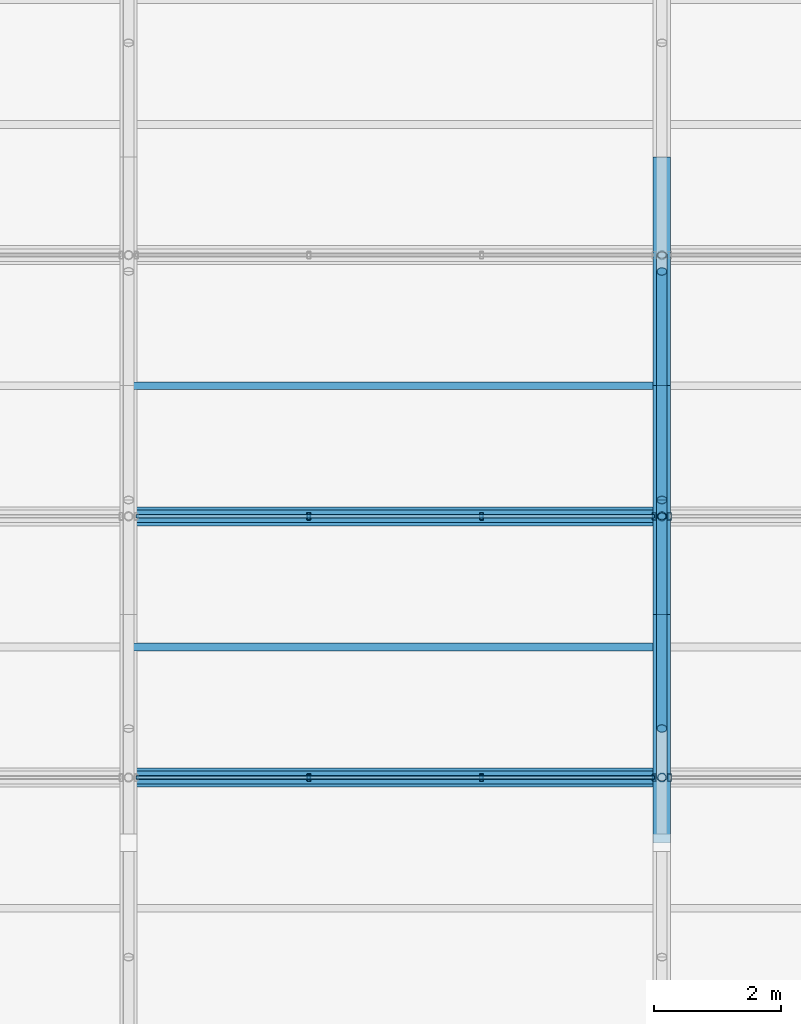
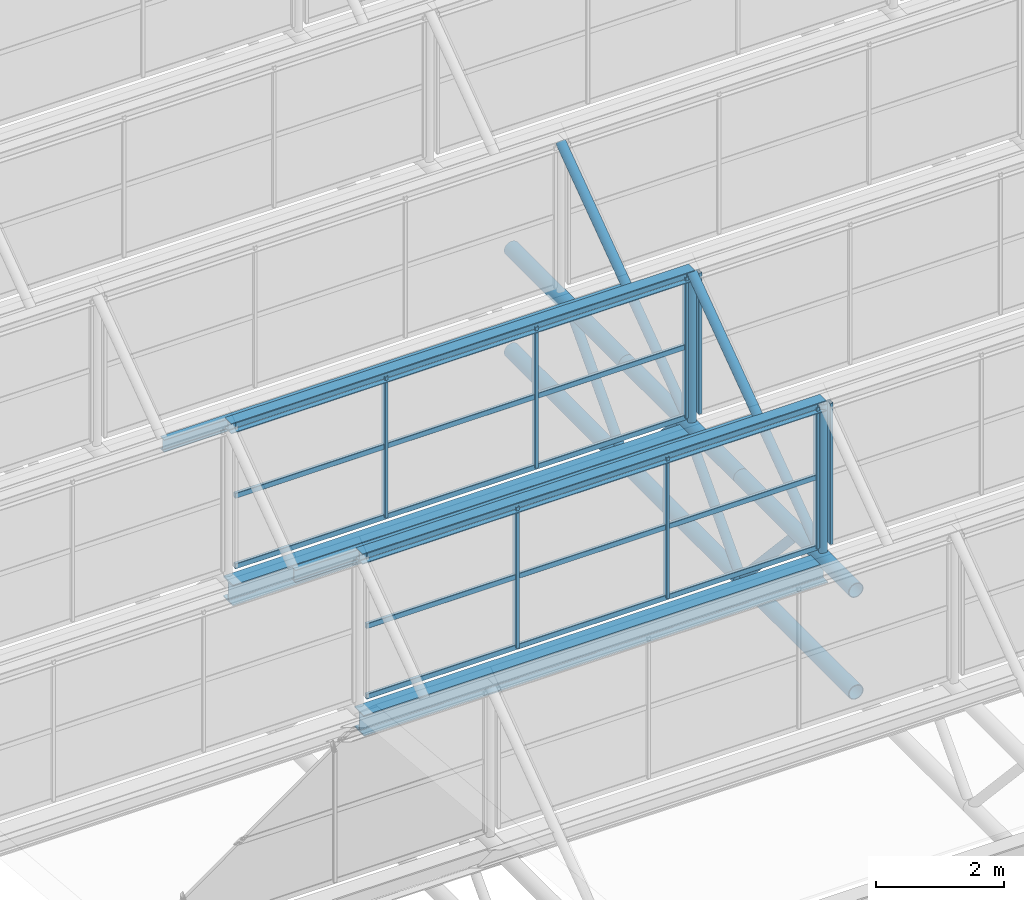
# One storey, part 63 of 134: 28 members, 6 beams, 4 elements without a shape of their own.
"""IFC4 building model written with IfcOpenShell, lengths in metres."""

from ifc_helpers import new_model, si_unit, derived_unit, direction, frame, origin, origin_2d, place, context, subcontext, project, spatial, hollow_rectangle, hollow_circle, i_section, extrude, material, material_profile, profile_set, type_object, element, aggregate, save


model = new_model("IFC4")

# Units and contexts
model_context = context("Model", 3, precision=1e-05, world=origin(), true_north=direction((0.0, 1.0)))
body_context = subcontext(model_context, "Body", "Model", "MODEL_VIEW")
ifc_project = project(units=[si_unit("LENGTHUNIT", "METRE"), si_unit("AREAUNIT", "SQUARE_METRE"), si_unit("VOLUMEUNIT", "CUBIC_METRE"), si_unit("PLANEANGLEUNIT", "RADIAN"), si_unit("MASSUNIT", "GRAM", prefix="KILO"), derived_unit("THERMALTRANSMITTANCEUNIT", [(si_unit("MASSUNIT", "GRAM", prefix="KILO"), 1), (si_unit("TIMEUNIT", "SECOND"), -3), (si_unit("THERMODYNAMICTEMPERATUREUNIT", "KELVIN"), -1)])], contexts=[model_context])

# Site, building, storey
site_placement = place(None, origin())
site = spatial("IfcSite", under=ifc_project, at=site_placement, CompositionType="ELEMENT")
building_placement = place(site_placement, origin())
building = spatial("IfcBuilding", under=site, at=building_placement, Name="Kharveza Railside Sports Centre", CompositionType="ELEMENT")
storey_placement = place(building_placement, frame((0.0, 0.0, 12.89990234375)))
storey = spatial("IfcBuildingStorey", under=building, at=storey_placement, Name="L03", CompositionType="ELEMENT", Elevation=12.89990234375)

# Beams
ifc_material_1 = material(Name="Steel S355J2", Category="steel")
ifc_material_profile_1 = material_profile(ifc_material_1, i_section(OverallWidth=0.300048828125, OverallDepth=0.39990234375, WebThickness=0.013427734375, FlangeThickness=0.02392578125, FilletRadius=0.027099609375, at=origin_2d()), Name="HEB 400")
ifc_profile_set_1 = profile_set([ifc_material_profile_1], Name="Steel S355J2")
beam_type_1 = type_object("IfcBeamType", Name="BM-G07", PredefinedType="T_BEAM", material=ifc_profile_set_1)
for number, where, z_axis, x_axis, name in (
    (1, (117.60009765625, 87.4287109375, 1.760009765625), (1.0, 0.0, 0.0), (0.0, 1.0, 0.0), "BM-V2SAW-VAL-3-4"),
    (2, (117.60009765625, 91.54296875, 1.760009765625), (1.0, 0.0, 0.0), (0.0, 1.0, 0.0), "BM-V2SAW-VAL-4-4"),
):
    element("IfcBeam", number, at=place(storey_placement, frame(where, z_axis=z_axis, x_axis=x_axis)), inside=storey, type_object=beam_type_1, Name=name, PredefinedType="T_BEAM", context=body_context, shape_type="SweptSolid", body=[
        extrude(i_section(OverallWidth=0.300048828125, OverallDepth=0.39990234375, WebThickness=0.013427734375, FlangeThickness=0.02392578125, FilletRadius=0.027099609375, at=origin_2d()), origin(), (0.0, 0.0, 1.0), 8.39990234375),
    ])
ifc_material_2 = material(Name="Steel S275JR", Category="steel")
ifc_material_profile_2 = material_profile(ifc_material_2, i_section(OverallWidth=0.1201171875, OverallDepth=0.239990234375, WebThickness=0.006103515625, FlangeThickness=0.009765625, FilletRadius=0.014892578125, at=origin_2d()), Name="IPE 240")
ifc_profile_set_2 = profile_set([ifc_material_profile_2], Name="Steel S275JR")
beam_type_2 = type_object("IfcBeamType", Name="BM-J01", PredefinedType="JOIST", material=ifc_profile_set_2)
for number, where, z_axis, x_axis, name in (
    (3, (117.60009765625, 89.485595703125, 3.320068359375), (1.0, 0.0, 0.0), (0.0, 1.0, 0.0), "BM-V2SAW-PUR-3-4"),
    (4, (117.60009765625, 93.60009765625, 3.320068359375), (1.0, 0.0, 0.0), (0.0, 1.0, 0.0), "BM-V2SAW-PUR-4-4"),
):
    element("IfcBeam", number, at=place(storey_placement, frame(where, z_axis=z_axis, x_axis=x_axis)), inside=storey, type_object=beam_type_2, Name=name, PredefinedType="JOIST", context=body_context, shape_type="SweptSolid", body=[
        extrude(i_section(OverallWidth=0.1201171875, OverallDepth=0.239990234375, WebThickness=0.006103515625, FlangeThickness=0.009765625, FilletRadius=0.014892578125, at=origin_2d()), origin(), (0.0, 0.0, 1.0), 8.39990234375),
    ])
ifc_material_profile_3 = material_profile(ifc_material_2, i_section(OverallWidth=0.199951171875, OverallDepth=0.199951171875, WebThickness=0.009033203125, FlangeThickness=0.014892578125, FilletRadius=0.01806640625, at=origin_2d()), Name="HEB 200")
ifc_profile_set_3 = profile_set([ifc_material_profile_3], Name="Steel S275JR")
beam_type_3 = type_object("IfcBeamType", Name="BM-J05", PredefinedType="JOIST", material=ifc_profile_set_3)
for number, where, z_axis, x_axis, name in (
    (5, (117.60009765625, 87.4287109375, 4.920166015625), (1.0, 0.0, 0.0), (0.0, 1.0, 0.0), "BM-V2SAW-RDG-2-4"),
    (6, (117.60009765625, 91.54296875, 4.920166015625), (1.0, 0.0, 0.0), (0.0, 1.0, 0.0), "BM-V2SAW-RDG-3-4"),
):
    element("IfcBeam", number, at=place(storey_placement, frame(where, z_axis=z_axis, x_axis=x_axis)), inside=storey, type_object=beam_type_3, Name=name, PredefinedType="JOIST", context=body_context, shape_type="SweptSolid", body=[
        extrude(i_section(OverallWidth=0.199951171875, OverallDepth=0.199951171875, WebThickness=0.009033203125, FlangeThickness=0.014892578125, FilletRadius=0.01806640625, at=origin_2d()), origin(), (0.0, 0.0, 1.0), 8.39990234375),
    ])

# Curtain wall, members
ifc_material_3 = material(Name="Low-E solar-control laminated glass", Category="glass")
curtain_wall_type = type_object("IfcCurtainWallType", Name="CW-NL02", PredefinedType="NOTDEFINED", material=ifc_material_3)
curtain_wall_1_placement = place(storey_placement, origin())
curtain_wall_1 = element("IfcCurtainWall", 7, at=curtain_wall_1_placement, inside=storey, type_object=curtain_wall_type, Name="CW-V2NL-2-4", PredefinedType="NOTDEFINED")
ifc_material_4 = material(Name="Anodised aluminium 6063-T6", Category="aluminium")
ifc_material_profile_4 = material_profile(ifc_material_4, hollow_rectangle(XDim=0.06005859375, YDim=0.1201171875, WallThickness=0.0048828125, InnerFilletRadius=0.0048828125, OuterFilletRadius=0.010009765625, at=origin_2d()), Name="RHS 60x120x5.0")
ifc_profile_set_4 = profile_set([ifc_material_profile_4], Name="Anodised aluminium 6063-T6")
member_type_1 = type_object("IfcMemberType", Name="CW-ML05", PredefinedType="MULLION", material=ifc_profile_set_4)
member_1_placement = place(storey_placement, frame((120.43994140625, 87.4287109375, 2.2001953125), z_axis=(0.0, 0.0, 1.0), x_axis=(1.0, 0.0, 0.0)))
member_1 = element("IfcMember", 8, at=member_1_placement, type_object=member_type_1, Name="CW-V2NL-2-4-ML2", PredefinedType="MULLION", context=body_context, shape_type="SweptSolid", body=[
    extrude(hollow_rectangle(XDim=0.06005859375, YDim=0.1201171875, WallThickness=0.0048828125, InnerFilletRadius=0.0048828125, OuterFilletRadius=0.010009765625, at=origin_2d()), origin(), (0.0, 0.0, 1.0), 2.699951171875),
])
member_2_placement = place(storey_placement, frame((123.159912109375, 87.4287109375, 2.2001953125), z_axis=(0.0, 0.0, 1.0), x_axis=(1.0, 0.0, 0.0)))
member_2 = element("IfcMember", 9, at=member_2_placement, type_object=member_type_1, Name="CW-V2NL-2-4-ML3", PredefinedType="MULLION", context=body_context, shape_type="SweptSolid", body=[
    extrude(hollow_rectangle(XDim=0.06005859375, YDim=0.1201171875, WallThickness=0.0048828125, InnerFilletRadius=0.0048828125, OuterFilletRadius=0.010009765625, at=origin_2d()), origin(), (0.0, 0.0, 1.0), 2.699951171875),
])
member_3_placement = place(storey_placement, frame((125.8798828125, 87.4287109375, 2.2001953125), z_axis=(0.0, 0.0, 1.0), x_axis=(1.0, 0.0, 0.0)))
member_3 = element("IfcMember", 10, at=member_3_placement, type_object=member_type_1, Name="CW-V2NL-2-4-ML4", PredefinedType="MULLION", context=body_context, shape_type="SweptSolid", body=[
    extrude(hollow_rectangle(XDim=0.06005859375, YDim=0.1201171875, WallThickness=0.0048828125, InnerFilletRadius=0.0048828125, OuterFilletRadius=0.010009765625, at=origin_2d()), origin(), (0.0, 0.0, 1.0), 2.699951171875),
])

# Curtain wall, member
curtain_wall_2_placement = place(storey_placement, origin())
curtain_wall_2 = element("IfcCurtainWall", 11, at=curtain_wall_2_placement, inside=storey, type_object=curtain_wall_type, Name="CW-V2NL-2-5", PredefinedType="NOTDEFINED")
member_4_placement = place(storey_placement, frame((126.1201171875, 87.4287109375, 2.2001953125), z_axis=(0.0, 0.0, 1.0), x_axis=(1.0, 0.0, 0.0)))
member_4 = element("IfcMember", 12, at=member_4_placement, type_object=member_type_1, Name="CW-V2NL-2-5-ML1", PredefinedType="MULLION", context=body_context, shape_type="SweptSolid", body=[
    extrude(hollow_rectangle(XDim=0.06005859375, YDim=0.1201171875, WallThickness=0.0048828125, InnerFilletRadius=0.0048828125, OuterFilletRadius=0.010009765625, at=origin_2d()), origin(), (0.0, 0.0, 1.0), 2.699951171875),
])
aggregate(curtain_wall_2, [member_4])

# Curtain wall, members
curtain_wall_3_placement = place(storey_placement, origin())
curtain_wall_3 = element("IfcCurtainWall", 13, at=curtain_wall_3_placement, inside=storey, type_object=curtain_wall_type, Name="CW-V2NL-3-4", PredefinedType="NOTDEFINED")
member_5_placement = place(storey_placement, frame((120.43994140625, 91.54296875, 2.2001953125), z_axis=(0.0, 0.0, 1.0), x_axis=(1.0, 0.0, 0.0)))
member_5 = element("IfcMember", 14, at=member_5_placement, type_object=member_type_1, Name="CW-V2NL-3-4-ML2", PredefinedType="MULLION", context=body_context, shape_type="SweptSolid", body=[
    extrude(hollow_rectangle(XDim=0.06005859375, YDim=0.1201171875, WallThickness=0.0048828125, InnerFilletRadius=0.0048828125, OuterFilletRadius=0.010009765625, at=origin_2d()), origin(), (0.0, 0.0, 1.0), 2.699951171875),
])
member_6_placement = place(storey_placement, frame((123.159912109375, 91.54296875, 2.2001953125), z_axis=(0.0, 0.0, 1.0), x_axis=(1.0, 0.0, 0.0)))
member_6 = element("IfcMember", 15, at=member_6_placement, type_object=member_type_1, Name="CW-V2NL-3-4-ML3", PredefinedType="MULLION", context=body_context, shape_type="SweptSolid", body=[
    extrude(hollow_rectangle(XDim=0.06005859375, YDim=0.1201171875, WallThickness=0.0048828125, InnerFilletRadius=0.0048828125, OuterFilletRadius=0.010009765625, at=origin_2d()), origin(), (0.0, 0.0, 1.0), 2.699951171875),
])
member_7_placement = place(storey_placement, frame((125.8798828125, 91.54296875, 2.2001953125), z_axis=(0.0, 0.0, 1.0), x_axis=(1.0, 0.0, 0.0)))
member_7 = element("IfcMember", 16, at=member_7_placement, type_object=member_type_1, Name="CW-V2NL-3-4-ML4", PredefinedType="MULLION", context=body_context, shape_type="SweptSolid", body=[
    extrude(hollow_rectangle(XDim=0.06005859375, YDim=0.1201171875, WallThickness=0.0048828125, InnerFilletRadius=0.0048828125, OuterFilletRadius=0.010009765625, at=origin_2d()), origin(), (0.0, 0.0, 1.0), 2.699951171875),
])

# Curtain wall, member
curtain_wall_4_placement = place(storey_placement, origin())
curtain_wall_4 = element("IfcCurtainWall", 17, at=curtain_wall_4_placement, inside=storey, type_object=curtain_wall_type, Name="CW-V2NL-3-5", PredefinedType="NOTDEFINED")
member_8_placement = place(storey_placement, frame((126.1201171875, 91.54296875, 2.2001953125), z_axis=(0.0, 0.0, 1.0), x_axis=(1.0, 0.0, 0.0)))
member_8 = element("IfcMember", 18, at=member_8_placement, type_object=member_type_1, Name="CW-V2NL-3-5-ML1", PredefinedType="MULLION", context=body_context, shape_type="SweptSolid", body=[
    extrude(hollow_rectangle(XDim=0.06005859375, YDim=0.1201171875, WallThickness=0.0048828125, InnerFilletRadius=0.0048828125, OuterFilletRadius=0.010009765625, at=origin_2d()), origin(), (0.0, 0.0, 1.0), 2.699951171875),
])
aggregate(curtain_wall_4, [member_8])

# Member
ifc_material_profile_5 = material_profile(ifc_material_4, hollow_rectangle(XDim=0.06005859375, YDim=0.10009765625, WallThickness=0.00390625, InnerFilletRadius=0.00390625, OuterFilletRadius=0.008056640625, at=origin_2d()), Name="RHS 60x100x4.0")
ifc_profile_set_5 = profile_set([ifc_material_profile_5], Name="Anodised aluminium 6063-T6")
member_type_2 = type_object("IfcMemberType", Name="CW-TR05", PredefinedType="USERDEFINED", material=ifc_profile_set_5)
member_9_placement = place(storey_placement, frame((117.719970703125, 87.4287109375, 2.2001953125), z_axis=(1.0, 0.0, 0.0), x_axis=(0.0, 1.0, 0.0)))
member_9 = element("IfcMember", 19, at=member_9_placement, type_object=member_type_2, Name="CW-V2NL-2-4-TR1", ObjectType="TRANSOM", PredefinedType="USERDEFINED", context=body_context, shape_type="SweptSolid", body=[
    extrude(hollow_rectangle(XDim=0.06005859375, YDim=0.10009765625, WallThickness=0.00390625, InnerFilletRadius=0.00390625, OuterFilletRadius=0.008056640625, at=origin_2d()), origin(), (0.0, 0.0, 1.0), 8.159912109375),
])

member_10_placement = place(storey_placement, frame((117.719970703125, 87.4287109375, 3.550048828125), z_axis=(1.0, 0.0, 0.0), x_axis=(0.0, 1.0, 0.0)))
member_10 = element("IfcMember", 20, at=member_10_placement, type_object=member_type_2, Name="CW-V2NL-2-4-TR2", ObjectType="TRANSOM", PredefinedType="USERDEFINED", context=body_context, shape_type="SweptSolid", body=[
    extrude(hollow_rectangle(XDim=0.06005859375, YDim=0.10009765625, WallThickness=0.00390625, InnerFilletRadius=0.00390625, OuterFilletRadius=0.008056640625, at=origin_2d()), origin(), (0.0, 0.0, 1.0), 8.159912109375),
])

member_11_placement = place(storey_placement, frame((117.719970703125, 87.4287109375, 4.900146484375), z_axis=(1.0, 0.0, 0.0), x_axis=(0.0, 1.0, 0.0)))
member_11 = element("IfcMember", 21, at=member_11_placement, type_object=member_type_2, Name="CW-V2NL-2-4-TR3", ObjectType="TRANSOM", PredefinedType="USERDEFINED", context=body_context, shape_type="SweptSolid", body=[
    extrude(hollow_rectangle(XDim=0.06005859375, YDim=0.10009765625, WallThickness=0.00390625, InnerFilletRadius=0.00390625, OuterFilletRadius=0.008056640625, at=origin_2d()), origin(), (0.0, 0.0, 1.0), 8.159912109375),
])

aggregate(curtain_wall_1, [member_1, member_2, member_3, member_9, member_10, member_11])

member_12_placement = place(storey_placement, frame((117.719970703125, 91.54296875, 2.2001953125), z_axis=(1.0, 0.0, 0.0), x_axis=(0.0, 1.0, 0.0)))
member_12 = element("IfcMember", 22, at=member_12_placement, type_object=member_type_2, Name="CW-V2NL-3-4-TR1", ObjectType="TRANSOM", PredefinedType="USERDEFINED", context=body_context, shape_type="SweptSolid", body=[
    extrude(hollow_rectangle(XDim=0.06005859375, YDim=0.10009765625, WallThickness=0.00390625, InnerFilletRadius=0.00390625, OuterFilletRadius=0.008056640625, at=origin_2d()), origin(), (0.0, 0.0, 1.0), 8.159912109375),
])

member_13_placement = place(storey_placement, frame((117.719970703125, 91.54296875, 3.550048828125), z_axis=(1.0, 0.0, 0.0), x_axis=(0.0, 1.0, 0.0)))
member_13 = element("IfcMember", 23, at=member_13_placement, type_object=member_type_2, Name="CW-V2NL-3-4-TR2", ObjectType="TRANSOM", PredefinedType="USERDEFINED", context=body_context, shape_type="SweptSolid", body=[
    extrude(hollow_rectangle(XDim=0.06005859375, YDim=0.10009765625, WallThickness=0.00390625, InnerFilletRadius=0.00390625, OuterFilletRadius=0.008056640625, at=origin_2d()), origin(), (0.0, 0.0, 1.0), 8.159912109375),
])

member_14_placement = place(storey_placement, frame((117.719970703125, 91.54296875, 4.900146484375), z_axis=(1.0, 0.0, 0.0), x_axis=(0.0, 1.0, 0.0)))
member_14 = element("IfcMember", 24, at=member_14_placement, type_object=member_type_2, Name="CW-V2NL-3-4-TR3", ObjectType="TRANSOM", PredefinedType="USERDEFINED", context=body_context, shape_type="SweptSolid", body=[
    extrude(hollow_rectangle(XDim=0.06005859375, YDim=0.10009765625, WallThickness=0.00390625, InnerFilletRadius=0.00390625, OuterFilletRadius=0.008056640625, at=origin_2d()), origin(), (0.0, 0.0, 1.0), 8.159912109375),
])

aggregate(curtain_wall_3, [member_5, member_6, member_7, member_12, member_13, member_14])

# Members
ifc_material_profile_6 = material_profile(ifc_material_1, hollow_circle(Radius=0.136474609375, WallThickness=0.01416015625, at=origin_2d()), Name="CHS 273.0x14.2")
ifc_profile_set_6 = profile_set([ifc_material_profile_6], Name="Steel S355J2")
member_type_3 = type_object("IfcMemberType", Name="MB-CH03", PredefinedType="CHORD", material=ifc_profile_set_6)
for number, where, z_axis, x_axis, name in (
    (25, (126.0, 86.39990234375, 0.0), (0.0, 1.0, 0.0), (-1.0, 0.0, 0.0), "MB-V2TR-BC-5-3"),
    (26, (126.0, 86.39990234375, 1.9501953125), (0.0, 1.0, 0.0), (-1.0, 0.0, 0.0), "MB-V2TR-TC-5-3"),
    (27, (126.0, 90.0, 0.0), (0.0, 1.0, 0.0), (-1.0, 0.0, 0.0), "MB-V2TR-BC-5-4"),
    (28, (126.0, 90.0, 1.9501953125), (0.0, 1.0, 0.0), (-1.0, 0.0, 0.0), "MB-V2TR-TC-5-4"),
):
    element("IfcMember", number, at=place(storey_placement, frame(where, z_axis=z_axis, x_axis=x_axis)), inside=storey, type_object=member_type_3, Name=name, PredefinedType="CHORD", context=body_context, shape_type="SweptSolid", body=[
        extrude(hollow_circle(Radius=0.136474609375, WallThickness=0.01416015625, at=origin_2d()), origin(), (0.0, 0.0, 1.0), 3.60009765625),
    ])
for number, where, z_axis, x_axis, name in (
    (29, (126.0, 93.60009765625, 0.0), (0.0, 1.0, 0.0), (-1.0, 0.0, 0.0), "MB-V2TR-BC-5-5"),
    (30, (126.0, 93.60009765625, 1.9501953125), (0.0, 1.0, 0.0), (-1.0, 0.0, 0.0), "MB-V2TR-TC-5-5"),
):
    element("IfcMember", number, at=place(storey_placement, frame(where, z_axis=z_axis, x_axis=x_axis)), inside=storey, type_object=member_type_3, Name=name, PredefinedType="CHORD", context=body_context, shape_type="SweptSolid", body=[
        extrude(hollow_circle(Radius=0.136474609375, WallThickness=0.01416015625, at=origin_2d()), origin(), (0.0, 0.0, 1.0), 3.599853515625),
    ])
ifc_material_profile_7 = material_profile(ifc_material_1, hollow_circle(Radius=0.084228515625, WallThickness=0.010009765625, at=origin_2d()), Name="CHS 168.3x10.0")
ifc_profile_set_7 = profile_set([ifc_material_profile_7], Name="Steel S355J2")
member_type_4 = type_object("IfcMemberType", Name="MB-ST03", PredefinedType="STRUT", material=ifc_profile_set_7)
for number, where, z_axis, x_axis, name in (
    (31, (126.0, 88.199951171875, 1.9501953125), (0.0, 0.67825335715, -0.734828131956), (-1.0, 0.0, 0.0), "MB-V2TR-D2-5-3"),
    (32, (126.0, 90.0, 0.0), (0.0, 0.67825335715, 0.734828131956), (-1.0, 0.0, 0.0), "MB-V2TR-D1-5-4"),
    (33, (126.0, 91.800048828125, 1.9501953125), (0.0, 0.67825335715, -0.734828131956), (-1.0, 0.0, 0.0), "MB-V2TR-D2-5-4"),
):
    element("IfcMember", number, at=place(storey_placement, frame(where, z_axis=z_axis, x_axis=x_axis)), inside=storey, type_object=member_type_4, Name=name, PredefinedType="STRUT", context=body_context, shape_type="SweptSolid", body=[
        extrude(hollow_circle(Radius=0.084228515625, WallThickness=0.010009765625, at=origin_2d()), origin(), (0.0, 0.0, 1.0), 2.654052734375),
    ])
member_15_placement = place(storey_placement, frame((126.0, 93.60009765625, 0.0), z_axis=(0.0, 0.678203679629, 0.734873981671), x_axis=(-1.0, 0.0, 0.0)))
element("IfcMember", 34, at=member_15_placement, inside=storey, type_object=member_type_4, Name="MB-V2TR-D1-5-5", PredefinedType="STRUT", context=body_context, shape_type="SweptSolid", body=[
    extrude(hollow_circle(Radius=0.084228515625, WallThickness=0.010009765625, at=origin_2d()), origin(), (0.0, 0.0, 1.0), 2.65380859375),
])
member_16_placement = place(storey_placement, frame((126.0, 87.4287109375, 1.9501953125), z_axis=(0.0, 0.810813691418, 0.585304329225), x_axis=(-1.0, 0.0, 0.0)))
element("IfcMember", 35, at=member_16_placement, inside=storey, type_object=member_type_4, Name="MB-V2SAW-RFT-3-5", PredefinedType="STRUT", context=body_context, shape_type="SweptSolid", body=[
    extrude(hollow_circle(Radius=0.084228515625, WallThickness=0.010009765625, at=origin_2d()), origin(), (0.0, 0.0, 1.0), 5.07421875),
])
member_17_placement = place(storey_placement, frame((126.0, 91.54296875, 1.9501953125), z_axis=(0.0, 0.810797207573, 0.585327163381), x_axis=(-1.0, 0.0, 0.0)))
element("IfcMember", 36, at=member_17_placement, inside=storey, type_object=member_type_4, Name="MB-V2SAW-RFT-4-5", PredefinedType="STRUT", context=body_context, shape_type="SweptSolid", body=[
    extrude(hollow_circle(Radius=0.084228515625, WallThickness=0.010009765625, at=origin_2d()), origin(), (0.0, 0.0, 1.0), 5.073974609375),
])
ifc_material_profile_8 = material_profile(ifc_material_1, hollow_circle(Radius=0.06982421875, WallThickness=0.008056640625, at=origin_2d()), Name="CHS 139.7x8.0")
ifc_profile_set_8 = profile_set([ifc_material_profile_8], Name="Steel S355J2")
member_type_5 = type_object("IfcMemberType", Name="MB-ST04", PredefinedType="STRUT", material=ifc_profile_set_8)
for number, where, z_axis, x_axis, name in (
    (37, (126.0, 87.4287109375, 1.9501953125), (0.0, 0.0, 1.0), (1.0, 0.0, 0.0), "MB-V2SAW-PST-2-5"),
    (38, (126.0, 91.54296875, 1.9501953125), (0.0, 0.0, 1.0), (1.0, 0.0, 0.0), "MB-V2SAW-PST-3-5"),
):
    element("IfcMember", number, at=place(storey_placement, frame(where, z_axis=z_axis, x_axis=x_axis)), inside=storey, type_object=member_type_5, Name=name, PredefinedType="STRUT", context=body_context, shape_type="SweptSolid", body=[
        extrude(hollow_circle(Radius=0.06982421875, WallThickness=0.008056640625, at=origin_2d()), origin(), (0.0, 0.0, 1.0), 2.969970703125),
    ])

save(model, "model.ifc")
